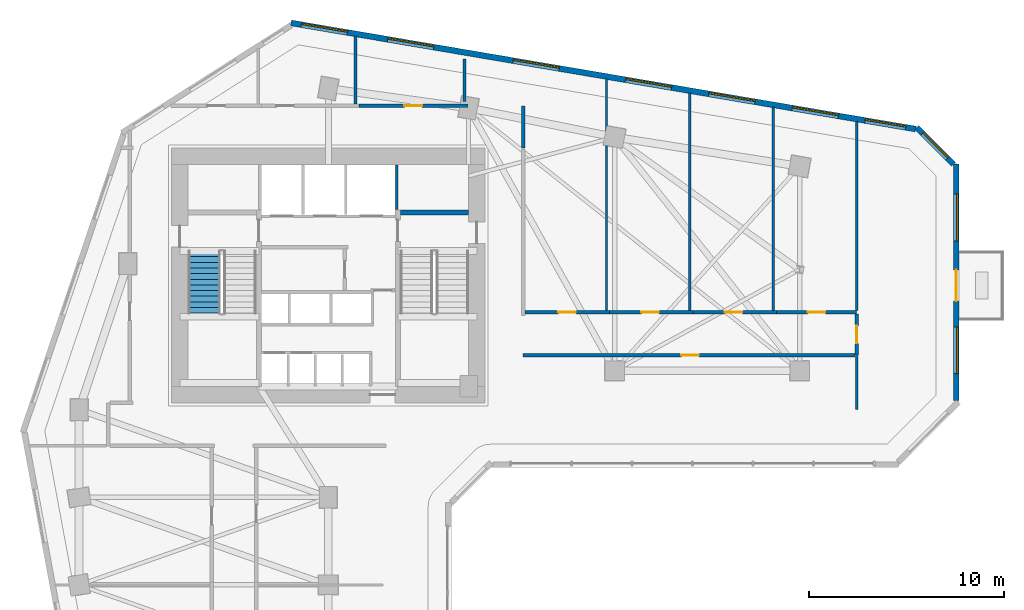
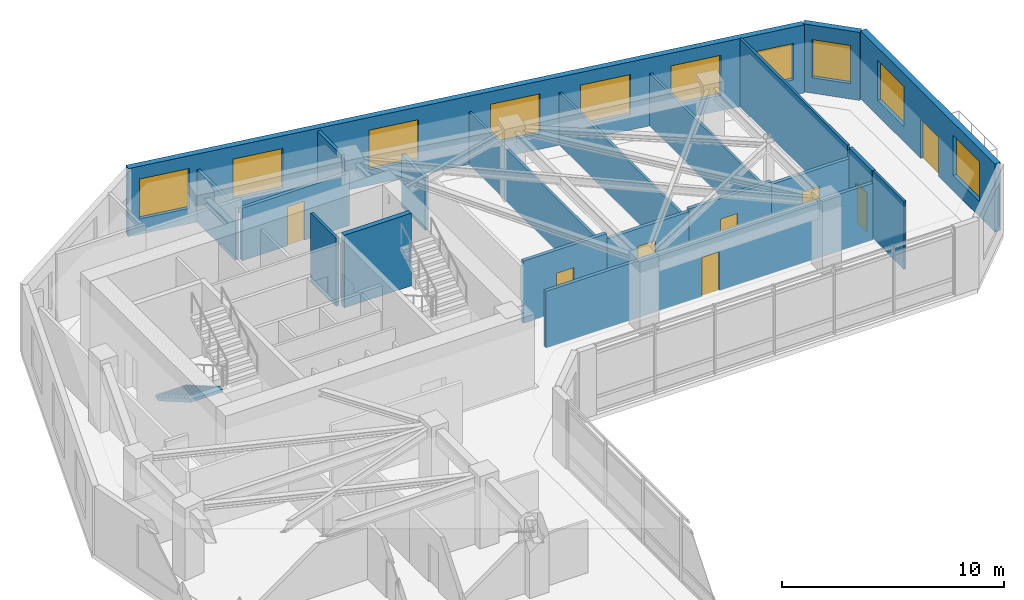
# One storey, part 7 of 11: 20 walls, 10 windows, 8 doors, 1 stair flight, 18 openings, 1 element without a shape of its own.
"""IFC4 building model written with IfcOpenShell, lengths in metres."""

from ifc_helpers import new_model, si_unit, direction, frame, frame_2d, origin, place, context, subcontext, project, spatial, polyline, rectangle, outline, extrude, source, transform, mapped, material, layer, layer_set, type_object, element, fill, aggregate, save


model = new_model("IFC4")

# Units and contexts
model_context = context("Model", 3, precision=1e-05, world=origin(), true_north=direction((0.0, 1.0)))
body_context = subcontext(model_context, "Body", "Model", "MODEL_VIEW")
ifc_project = project(units=[si_unit("LENGTHUNIT", "METRE"), si_unit("AREAUNIT", "SQUARE_METRE"), si_unit("VOLUMEUNIT", "CUBIC_METRE"), si_unit("PLANEANGLEUNIT", "RADIAN"), si_unit("MASSUNIT", "GRAM", prefix="KILO")], contexts=[model_context])

# Site, building, storey
site_placement = place(None, origin())
site = spatial("IfcSite", under=ifc_project, at=site_placement, CompositionType="ELEMENT")
building_placement = place(site_placement, origin())
building = spatial("IfcBuilding", under=site, at=building_placement, Name="Calvemar Wedge Station Tower", CompositionType="ELEMENT")
storey_placement = place(building_placement, frame((0.0, 0.0, 79.0)))
storey = spatial("IfcBuildingStorey", under=building, at=storey_placement, Name="L19", CompositionType="ELEMENT", Elevation=79.0)

# Wall
ifc_material_1 = material(Name="Concrete C50", Category="concrete")
ifc_layer_1 = layer(ifc_material_1, 0.260009765625)
ifc_layer_set_1 = layer_set([ifc_layer_1], Name="Concrete C50")
wall_type_1 = type_object("IfcWallType", Name="SW-CORE-260", PredefinedType="SHEAR", material=ifc_layer_set_1)
wall_1_placement = place(storey_placement, frame((27.5, 43.1298828125, 0.0), z_axis=(0.0, 0.0, 1.0), x_axis=(1.0, 0.0, 0.0)))
element("IfcWall", 1, at=wall_1_placement, inside=storey, type_object=wall_type_1, Name="Storey L19 Core Shear Wall STC2-N", PredefinedType="SHEAR", context=body_context, shape_type="SweptSolid", body=[
    extrude(rectangle(XDim=3.5, YDim=0.260009765625, at=frame_2d((1.75, 0.0))), origin(), (0.0, 0.0, 1.0), 4.0),
])

# Wall, opening, door
ifc_material_2 = material(Name="Double-stud fire-rated corridor partition")
ifc_layer_2 = layer(ifc_material_2, 0.179931640625)
ifc_layer_set_2 = layer_set([ifc_layer_2], Name="Double-stud fire-rated corridor partition")
wall_type_2 = type_object("IfcWallType", Name="W-CORR-180", PredefinedType="PARTITIONING", material=ifc_layer_set_2)
wall_2_placement = place(storey_placement, frame((25.362060546875, 48.60009765625, 0.0), z_axis=(0.0, 0.0, 1.0), x_axis=(1.0, 0.0, 0.0)))
wall_2 = element("IfcWall", 2, at=wall_2_placement, inside=storey, type_object=wall_type_2, Name="Storey L19 Interior Partition WL-L19-012", PredefinedType="PARTITIONING", context=body_context, shape_type="SweptSolid", body=[
    extrude(rectangle(XDim=5.597900390625, YDim=0.179931640625, at=frame_2d((2.798828125, 0.0))), origin(), (0.0, 0.0, 1.0), 2.89208984375),
])
shared_shape_1 = source(origin(), body_context, "Body", "SweptSolid", [
    extrude(rectangle(XDim=0.89990234375, YDim=2.14990234375, at=frame_2d((0.449951171875, 1.074951171875))), frame((0.0, 0.10009765625, 0.0), z_axis=(0.0, -1.0, 0.0), x_axis=(1.0, 0.0, 0.0)), (0.0, 0.0, 1.0), 0.199951171875),
])
opening_1_placement = place(wall_2_placement, frame((2.34912109375, 0.0, 0.0)))
opening_1 = element("IfcOpeningElement", 3, at=opening_1_placement, cuts=wall_2, Name="Opening D-01", PredefinedType="OPENING", context=body_context, shape_type="MappedRepresentation", body=[
    mapped(shared_shape_1, transform((0.0, 0.0, 0.0), scale=1.0)),
])
ifc_material_3 = material(Name="Architectural hardwood acoustic swing door", Category="wood")
door_type_1 = type_object("IfcDoorType", Name="DR-INT-900", OperationType="NOTDEFINED", PredefinedType="DOOR", material=ifc_material_3)
shared_shape_2 = source(origin(), body_context, "Body", "SweptSolid", [
    extrude(rectangle(XDim=0.89990234375, YDim=2.14990234375, at=frame_2d((0.449951171875, 1.074951171875))), frame((0.0, 0.02490234375, 0.0), z_axis=(0.0, -1.0, 0.0), x_axis=(1.0, 0.0, 0.0)), (0.0, 0.0, 1.0), 0.050048828125),
])
door_1_placement = place(opening_1_placement, origin())
door_1 = element("IfcDoor", 4, at=door_1_placement, inside=storey, type_object=door_type_1, Name="L19 Female Toilet Door", OperationType="SINGLE_SWING_LEFT", OverallHeight=2.14990234375, OverallWidth=0.89990234375, PredefinedType="DOOR", context=body_context, shape_type="MappedRepresentation", body=[
    mapped(shared_shape_2, transform((0.0, 0.0, 0.0), scale=1.0)),
])
fill(opening_1, door_1)

# Wall
wall_3_placement = place(storey_placement, frame((33.800048828125, 48.60009765625, 0.0), z_axis=(0.0, 0.0, 1.0), x_axis=(0.0, -1.0, 0.0)))
element("IfcWall", 5, at=wall_3_placement, inside=storey, type_object=wall_type_2, Name="Storey L19 Interior Partition WL-L19-013", PredefinedType="PARTITIONING", context=body_context, shape_type="SweptSolid", body=[
    extrude(rectangle(XDim=2.150146484375, YDim=0.179931640625, at=frame_2d((1.0751953125, 0.0))), origin(), (0.0, 0.0, 1.0), 2.89208984375),
])

# Wall, opening, door
wall_4_placement = place(storey_placement, frame((33.89404296875, 38.0, 0.0), z_axis=(0.0, 0.0, 1.0), x_axis=(1.0, 0.0, 0.0)))
wall_4 = element("IfcWall", 6, at=wall_4_placement, inside=storey, type_object=wall_type_2, Name="Storey L19 Interior Partition WL-L19-018", PredefinedType="PARTITIONING", context=body_context, shape_type="SweptSolid", body=[
    extrude(rectangle(XDim=4.349853515625, YDim=0.179931640625, at=frame_2d((2.1748046875, 0.0))), origin(), (0.0, 0.0, 1.0), 3.4189453125),
])
opening_2_placement = place(wall_4_placement, frame((1.72509765625, 0.0, 0.0)))
opening_2 = element("IfcOpeningElement", 7, at=opening_2_placement, cuts=wall_4, Name="Opening D-01", PredefinedType="OPENING", context=body_context, shape_type="MappedRepresentation", body=[
    mapped(shared_shape_1, transform((0.0, 0.0, 0.0), scale=1.0)),
])
door_2_placement = place(opening_2_placement, origin())
door_2 = element("IfcDoor", 8, at=door_2_placement, inside=storey, type_object=door_type_1, Name="L19 Co-Working Studio Door", OperationType="SINGLE_SWING_RIGHT", OverallHeight=2.14990234375, OverallWidth=0.89990234375, PredefinedType="DOOR", context=body_context, shape_type="MappedRepresentation", body=[
    mapped(shared_shape_2, transform((0.0, 0.0, 0.0), scale=1.0)),
])
fill(opening_2, door_2)

wall_5_placement = place(storey_placement, frame((38.24609375, 38.0, 0.0), z_axis=(0.0, 0.0, 1.0), x_axis=(1.0, 0.0, 0.0)))
wall_5 = element("IfcWall", 9, at=wall_5_placement, inside=storey, type_object=wall_type_2, Name="Storey L19 Interior Partition WL-L19-019", PredefinedType="PARTITIONING", context=body_context, shape_type="SweptSolid", body=[
    extrude(rectangle(XDim=4.281005859375, YDim=0.179931640625, at=frame_2d((2.140625, 0.0))), origin(), (0.0, 0.0, 1.0), 3.125),
])
opening_3_placement = place(wall_5_placement, frame((1.629150390625, 0.0, 0.0)))
opening_3 = element("IfcOpeningElement", 10, at=opening_3_placement, cuts=wall_5, Name="Opening D-01", PredefinedType="OPENING", context=body_context, shape_type="MappedRepresentation", body=[
    mapped(shared_shape_1, transform((0.0, 0.0, 0.0), scale=1.0)),
])
door_3_placement = place(opening_3_placement, origin())
door_3 = element("IfcDoor", 11, at=door_3_placement, inside=storey, type_object=door_type_1, Name="L19 Co-Working Studio Door", OperationType="SINGLE_SWING_LEFT", OverallHeight=2.14990234375, OverallWidth=0.89990234375, PredefinedType="DOOR", context=body_context, shape_type="MappedRepresentation", body=[
    mapped(shared_shape_2, transform((0.0, 0.0, 0.0), scale=1.0)),
])
fill(opening_3, door_3)

wall_6_placement = place(storey_placement, frame((42.529052734375, 38.0, 0.0), z_axis=(0.0, 0.0, 1.0), x_axis=(1.0, 0.0, 0.0)))
wall_6 = element("IfcWall", 12, at=wall_6_placement, inside=storey, type_object=wall_type_2, Name="Storey L19 Interior Partition WL-L19-020", PredefinedType="PARTITIONING", context=body_context, shape_type="SweptSolid", body=[
    extrude(rectangle(XDim=4.281982421875, YDim=0.179931640625, at=frame_2d((2.14111328125, 0.0))), origin(), (0.0, 0.0, 1.0), 3.279052734375),
])
opening_4_placement = place(wall_6_placement, frame((1.629638671875, 0.0, 0.0)))
opening_4 = element("IfcOpeningElement", 13, at=opening_4_placement, cuts=wall_6, Name="Opening D-01", PredefinedType="OPENING", context=body_context, shape_type="MappedRepresentation", body=[
    mapped(shared_shape_1, transform((0.0, 0.0, 0.0), scale=1.0)),
])
door_4_placement = place(opening_4_placement, origin())
door_4 = element("IfcDoor", 14, at=door_4_placement, inside=storey, type_object=door_type_1, Name="L19 Co-Working Studio Door", OperationType="SINGLE_SWING_RIGHT", OverallHeight=2.14990234375, OverallWidth=0.89990234375, PredefinedType="DOOR", context=body_context, shape_type="MappedRepresentation", body=[
    mapped(shared_shape_2, transform((0.0, 0.0, 0.0), scale=1.0)),
])
fill(opening_4, door_4)

wall_7_placement = place(storey_placement, frame((46.81298828125, 38.0, 0.0), z_axis=(0.0, 0.0, 1.0), x_axis=(1.0, 0.0, 0.0)))
wall_7 = element("IfcWall", 15, at=wall_7_placement, inside=storey, type_object=wall_type_2, Name="Storey L19 Interior Partition WL-L19-021", PredefinedType="PARTITIONING", context=body_context, shape_type="SweptSolid", body=[
    extrude(rectangle(XDim=4.1220703125, YDim=0.179931640625, at=frame_2d((2.06103515625, 0.0))), origin(), (0.0, 0.0, 1.0), 3.125),
])
opening_5_placement = place(wall_7_placement, frame((1.611083984375, 0.0, 0.0)))
opening_5 = element("IfcOpeningElement", 16, at=opening_5_placement, cuts=wall_7, Name="Opening D-01", PredefinedType="OPENING", context=body_context, shape_type="MappedRepresentation", body=[
    mapped(shared_shape_1, transform((0.0, 0.0, 0.0), scale=1.0)),
])
door_5_placement = place(opening_5_placement, origin())
door_5 = element("IfcDoor", 17, at=door_5_placement, inside=storey, type_object=door_type_1, Name="L19 Meeting Room Door", OperationType="SINGLE_SWING_LEFT", OverallHeight=2.14990234375, OverallWidth=0.89990234375, PredefinedType="DOOR", context=body_context, shape_type="MappedRepresentation", body=[
    mapped(shared_shape_2, transform((0.0, 0.0, 0.0), scale=1.0)),
])
fill(opening_5, door_5)

wall_8_placement = place(storey_placement, frame((50.93505859375, 37.906005859375, 0.0), z_axis=(0.0, 0.0, 1.0), x_axis=(0.0, -1.0, 0.0)))
wall_8 = element("IfcWall", 18, at=wall_8_placement, inside=storey, type_object=wall_type_2, Name="Storey L19 Interior Partition WL-L19-022", PredefinedType="PARTITIONING", context=body_context, shape_type="SweptSolid", body=[
    extrude(rectangle(XDim=2.10595703125, YDim=0.179931640625, at=frame_2d((1.052978515625, 0.0))), origin(), (0.0, 0.0, 1.0), 3.75),
])
opening_6_placement = place(wall_8_placement, frame((0.60302734375, 0.0, 0.0)))
opening_6 = element("IfcOpeningElement", 19, at=opening_6_placement, cuts=wall_8, Name="Opening D-01", PredefinedType="OPENING", context=body_context, shape_type="MappedRepresentation", body=[
    mapped(shared_shape_1, transform((0.0, 0.0, 0.0), scale=1.0)),
])
door_6_placement = place(opening_6_placement, origin())
door_6 = element("IfcDoor", 20, at=door_6_placement, inside=storey, type_object=door_type_1, Name="L19 Training Room Door", OperationType="SINGLE_SWING_RIGHT", OverallHeight=2.14990234375, OverallWidth=0.89990234375, PredefinedType="DOOR", context=body_context, shape_type="MappedRepresentation", body=[
    mapped(shared_shape_2, transform((0.0, 0.0, 0.0), scale=1.0)),
])
fill(opening_6, door_6)

wall_9_placement = place(storey_placement, frame((50.841064453125, 35.800048828125, 0.0), z_axis=(0.0, 0.0, 1.0), x_axis=(-1.0, 0.0, 0.0)))
wall_9 = element("IfcWall", 21, at=wall_9_placement, inside=storey, type_object=wall_type_2, Name="Storey L19 Interior Partition WL-L19-023", PredefinedType="PARTITIONING", context=body_context, shape_type="SweptSolid", body=[
    extrude(rectangle(XDim=17.041015625, YDim=0.179931640625, at=frame_2d((8.5205078125, 0.0))), origin(), (0.0, 0.0, 1.0), 3.125),
])
opening_7_placement = place(wall_9_placement, frame((8.010009765625, 0.0, 0.0)))
opening_7 = element("IfcOpeningElement", 22, at=opening_7_placement, cuts=wall_9, Name="Opening D-01", PredefinedType="OPENING", context=body_context, shape_type="MappedRepresentation", body=[
    mapped(shared_shape_1, transform((0.0, 0.0, 0.0), scale=1.0)),
])
door_7_placement = place(opening_7_placement, origin())
door_7 = element("IfcDoor", 23, at=door_7_placement, inside=storey, type_object=door_type_1, Name="L19 Meeting Room Door", OperationType="SINGLE_SWING_LEFT", OverallHeight=2.14990234375, OverallWidth=0.89990234375, PredefinedType="DOOR", context=body_context, shape_type="MappedRepresentation", body=[
    mapped(shared_shape_2, transform((0.0, 0.0, 0.0), scale=1.0)),
])
fill(opening_7, door_7)

# Wall, openings, windows, door
ifc_material_4 = material(Name="Precast concrete C45", Category="concrete")
ifc_layer_3 = layer(ifc_material_4, 0.300048828125)
ifc_layer_set_3 = layer_set([ifc_layer_3], Name="Precast concrete C45")
wall_type_3 = type_object("IfcWallType", Name="W-EXT-GFRC-300", PredefinedType="SOLIDWALL", material=ifc_layer_set_3)
wall_10_placement = place(storey_placement, frame((56.050048828125, 33.4853515625, 0.0), z_axis=(0.0, 0.0, 1.0), x_axis=(0.0, 1.0, 0.0)))
wall_10 = element("IfcWall", 24, at=wall_10_placement, inside=storey, type_object=wall_type_3, Name="Storey L19 Bronze GFRC Exterior Wall 8", PredefinedType="SOLIDWALL", context=body_context, shape_type="SweptSolid", body=[
    extrude(rectangle(XDim=12.130615234375, YDim=0.300048828125, at=frame_2d((6.0654296875, 0.0))), origin(), (0.0, 0.0, 1.0), 3.75),
])
shared_shape_3 = source(origin(), body_context, "Body", "SweptSolid", [
    extrude(rectangle(XDim=1.60009765625, YDim=2.14990234375, at=frame_2d((0.800048828125, 1.074951171875))), frame((0.0, 0.16015625, 0.0), z_axis=(0.0, -1.0, 0.0), x_axis=(1.0, 0.0, 0.0)), (0.0, 0.0, 1.0), 0.320068359375),
])
opening_8_placement = place(wall_10_placement, frame((5.093017578125, 0.0, 0.0)))
opening_8 = element("IfcOpeningElement", 25, at=opening_8_placement, cuts=wall_10, Name="Opening DT1", PredefinedType="OPENING", context=body_context, shape_type="MappedRepresentation", body=[
    mapped(shared_shape_3, transform((0.0, 0.0, 0.0), scale=1.0)),
])
shared_shape_4 = source(origin(), body_context, "Body", "SweptSolid", [
    extrude(rectangle(XDim=2.39990234375, YDim=2.199951171875, at=frame_2d((1.199951171875, 1.10009765625))), frame((0.0, 0.16015625, 0.0), z_axis=(0.0, -1.0, 0.0), x_axis=(1.0, 0.0, 0.0)), (0.0, 0.0, 1.0), 0.320068359375),
])
opening_9_placement = place(wall_10_placement, frame((1.366943359375, 0.0, 0.85009765625)))
opening_9 = element("IfcOpeningElement", 26, at=opening_9_placement, cuts=wall_10, Name="Opening W1", PredefinedType="OPENING", context=body_context, shape_type="MappedRepresentation", body=[
    mapped(shared_shape_4, transform((0.0, 0.0, 0.0), scale=1.0)),
])
opening_10_placement = place(wall_10_placement, frame((8.19189453125, 0.0, 0.85009765625)))
opening_10 = element("IfcOpeningElement", 27, at=opening_10_placement, cuts=wall_10, Name="Opening W1", PredefinedType="OPENING", context=body_context, shape_type="MappedRepresentation", body=[
    mapped(shared_shape_4, transform((0.0, 0.0, 0.0), scale=1.0)),
])
ifc_material_5 = material(Name="Low-E laminated insulated glass", Category="glass")
window_type_1 = type_object("IfcWindowType", Name="WIN-EXT-1", PartitioningType="SINGLE_PANEL", PredefinedType="WINDOW", material=ifc_material_5)
shared_shape_5 = source(origin(), body_context, "Body", "SweptSolid", [
    extrude(rectangle(XDim=2.39990234375, YDim=2.199951171875, at=frame_2d((1.199951171875, 1.10009765625))), frame((0.0, -0.014892578125, 0.0), z_axis=(0.0, -1.0, 0.0), x_axis=(1.0, 0.0, 0.0)), (0.0, 0.0, 1.0), 0.06005859375),
])
window_1_placement = place(opening_9_placement, origin())
window_1 = element("IfcWindow", 28, at=window_1_placement, inside=storey, type_object=window_type_1, Name="Storey L19 Recessed Window 8.1", OverallHeight=2.199951171875, OverallWidth=2.39990234375, PartitioningType="SINGLE_PANEL", PredefinedType="WINDOW", context=body_context, shape_type="MappedRepresentation", body=[
    mapped(shared_shape_5, transform((0.0, 0.0, 0.0), scale=1.0)),
])
fill(opening_9, window_1)
window_2_placement = place(opening_10_placement, origin())
window_2 = element("IfcWindow", 29, at=window_2_placement, inside=storey, type_object=window_type_1, Name="Storey L19 Recessed Window 8.2", OverallHeight=2.199951171875, OverallWidth=2.39990234375, PartitioningType="SINGLE_PANEL", PredefinedType="WINDOW", context=body_context, shape_type="MappedRepresentation", body=[
    mapped(shared_shape_5, transform((0.0, 0.0, 0.0), scale=1.0)),
])
fill(opening_10, window_2)
ifc_material_6 = material(Name="Anodised aluminium 6063-T6", Category="aluminium")
door_type_2 = type_object("IfcDoorType", Name="DR-TERR-1600", OperationType="DOUBLE_DOOR_SLIDING", PredefinedType="DOOR", material=ifc_material_6)
shared_shape_6 = source(origin(), body_context, "Body", "SweptSolid", [
    extrude(rectangle(XDim=1.60009765625, YDim=2.14990234375, at=frame_2d((0.800048828125, 1.074951171875))), frame((0.0, 0.02490234375, 0.0), z_axis=(0.0, -1.0, 0.0), x_axis=(1.0, 0.0, 0.0)), (0.0, 0.0, 1.0), 0.050048828125),
])
door_8_placement = place(opening_8_placement, origin())
door_8 = element("IfcDoor", 30, at=door_8_placement, inside=storey, type_object=door_type_2, Name="Storey L19 Spiral Terrace Door", OperationType="DOUBLE_DOOR_SLIDING", OverallHeight=2.14990234375, OverallWidth=1.60009765625, PredefinedType="DOOR", context=body_context, shape_type="MappedRepresentation", body=[
    mapped(shared_shape_6, transform((0.0, 0.0, 0.0), scale=1.0)),
])
fill(opening_8, door_8)

# Wall, opening, window
wall_11_placement = place(storey_placement, frame((55.912109375, 45.60400390625, 0.0), z_axis=(0.0, 0.0, 1.0), x_axis=(-0.707152443695, 0.707061115729, 0.0)))
wall_11 = element("IfcWall", 31, at=wall_11_placement, inside=storey, type_object=wall_type_3, Name="Storey L19 Bronze GFRC Exterior Wall 9", PredefinedType="SOLIDWALL", context=body_context, shape_type="SweptSolid", body=[
    extrude(rectangle(XDim=2.67333984375, YDim=0.300048828125, at=frame_2d((1.336669921875, 0.0))), origin(), (0.0, 0.0, 1.0), 3.75),
])
shared_shape_7 = source(origin(), body_context, "Body", "SweptSolid", [
    extrude(rectangle(XDim=1.800048828125, YDim=2.10009765625, at=frame_2d((0.89990234375, 1.050048828125))), frame((0.0, 0.16015625, 0.0), z_axis=(0.0, -1.0, 0.0), x_axis=(1.0, 0.0, 0.0)), (0.0, 0.0, 1.0), 0.320068359375),
])
opening_11_placement = place(wall_11_placement, frame((0.43701171875, 0.0, 0.85009765625)))
opening_11 = element("IfcOpeningElement", 32, at=opening_11_placement, cuts=wall_11, Name="Opening W2", PredefinedType="OPENING", context=body_context, shape_type="MappedRepresentation", body=[
    mapped(shared_shape_7, transform((0.0, 0.0, 0.0), scale=1.0)),
])
window_type_2 = type_object("IfcWindowType", Name="WIN-EXT-2", PartitioningType="SINGLE_PANEL", PredefinedType="WINDOW", material=ifc_material_5)
shared_shape_8 = source(origin(), body_context, "Body", "SweptSolid", [
    extrude(rectangle(XDim=1.800048828125, YDim=2.10009765625, at=frame_2d((0.89990234375, 1.050048828125))), frame((0.0, -0.014892578125, 0.0), z_axis=(0.0, -1.0, 0.0), x_axis=(1.0, 0.0, 0.0)), (0.0, 0.0, 1.0), 0.06005859375),
])
window_3_placement = place(opening_11_placement, origin())
window_3 = element("IfcWindow", 33, at=window_3_placement, inside=storey, type_object=window_type_2, Name="Storey L19 Recessed Window 9.1", OverallHeight=2.10009765625, OverallWidth=1.800048828125, PartitioningType="SINGLE_PANEL", PredefinedType="WINDOW", context=body_context, shape_type="MappedRepresentation", body=[
    mapped(shared_shape_8, transform((0.0, 0.0, 0.0), scale=1.0)),
])
fill(opening_11, window_3)

# Wall, openings, windows
wall_12_placement = place(storey_placement, frame((53.9609375, 47.41650390625, 0.0), z_axis=(0.0, 0.0, 1.0), x_axis=(-0.985865713455, 0.167537443678, 0.0)))
wall_12 = element("IfcWall", 34, at=wall_12_placement, inside=storey, type_object=wall_type_3, Name="Storey L19 Bronze GFRC Exterior Wall 10", PredefinedType="SOLIDWALL", context=body_context, shape_type="SweptSolid", body=[
    extrude(rectangle(XDim=32.537109375, YDim=0.300048828125, at=frame_2d((16.2685546875, 0.0))), origin(), (0.0, 0.0, 1.0), 3.75),
])
shared_shape_9 = source(origin(), body_context, "Body", "SweptSolid", [
    extrude(rectangle(XDim=2.10009765625, YDim=2.0, at=frame_2d((1.050048828125, 1.0))), frame((0.0, 0.16015625, 0.0), z_axis=(0.0, -1.0, 0.0), x_axis=(1.0, 0.0, 0.0)), (0.0, 0.0, 1.0), 0.320068359375),
])
opening_12_placement = place(wall_12_placement, frame((0.52490234375, 0.0, 0.85009765625)))
opening_12 = element("IfcOpeningElement", 35, at=opening_12_placement, cuts=wall_12, Name="Opening W4", PredefinedType="OPENING", context=body_context, shape_type="MappedRepresentation", body=[
    mapped(shared_shape_9, transform((0.0, 0.0, 0.0), scale=1.0)),
])
opening_13_placement = place(wall_12_placement, frame((4.02197265625, 0.0, 0.85009765625)))
opening_13 = element("IfcOpeningElement", 36, at=opening_13_placement, cuts=wall_12, Name="Opening W1", PredefinedType="OPENING", context=body_context, shape_type="MappedRepresentation", body=[
    mapped(shared_shape_4, transform((0.0, 0.0, 0.0), scale=1.0)),
])
opening_14_placement = place(wall_12_placement, frame((8.367919921875, 0.0, 0.85009765625)))
opening_14 = element("IfcOpeningElement", 37, at=opening_14_placement, cuts=wall_12, Name="Opening W1", PredefinedType="OPENING", context=body_context, shape_type="MappedRepresentation", body=[
    mapped(shared_shape_4, transform((0.0, 0.0, 0.0), scale=1.0)),
])
opening_15_placement = place(wall_12_placement, frame((12.712890625, 0.0, 0.85009765625)))
opening_15 = element("IfcOpeningElement", 38, at=opening_15_placement, cuts=wall_12, Name="Opening W1", PredefinedType="OPENING", context=body_context, shape_type="MappedRepresentation", body=[
    mapped(shared_shape_4, transform((0.0, 0.0, 0.0), scale=1.0)),
])
opening_16_placement = place(wall_12_placement, frame((18.56005859375, 0.0, 0.85009765625)))
opening_16 = element("IfcOpeningElement", 39, at=opening_16_placement, cuts=wall_12, Name="Opening W1", PredefinedType="OPENING", context=body_context, shape_type="MappedRepresentation", body=[
    mapped(shared_shape_4, transform((0.0, 0.0, 0.0), scale=1.0)),
])
opening_17_placement = place(wall_12_placement, frame((25.094970703125, 0.0, 0.85009765625)))
opening_17 = element("IfcOpeningElement", 40, at=opening_17_placement, cuts=wall_12, Name="Opening W1", PredefinedType="OPENING", context=body_context, shape_type="MappedRepresentation", body=[
    mapped(shared_shape_4, transform((0.0, 0.0, 0.0), scale=1.0)),
])
opening_18_placement = place(wall_12_placement, frame((29.594970703125, 0.0, 0.85009765625)))
opening_18 = element("IfcOpeningElement", 41, at=opening_18_placement, cuts=wall_12, Name="Opening W1", PredefinedType="OPENING", context=body_context, shape_type="MappedRepresentation", body=[
    mapped(shared_shape_4, transform((0.0, 0.0, 0.0), scale=1.0)),
])
window_type_3 = type_object("IfcWindowType", Name="WIN-EXT-4", PartitioningType="SINGLE_PANEL", PredefinedType="WINDOW", material=ifc_material_5)
shared_shape_10 = source(origin(), body_context, "Body", "SweptSolid", [
    extrude(rectangle(XDim=2.10009765625, YDim=2.0, at=frame_2d((1.050048828125, 1.0))), frame((0.0, -0.014892578125, 0.0), z_axis=(0.0, -1.0, 0.0), x_axis=(1.0, 0.0, 0.0)), (0.0, 0.0, 1.0), 0.06005859375),
])
window_4_placement = place(opening_12_placement, origin())
window_4 = element("IfcWindow", 42, at=window_4_placement, inside=storey, type_object=window_type_3, Name="Storey L19 Recessed Window 10.1", OverallHeight=2.0, OverallWidth=2.10009765625, PartitioningType="SINGLE_PANEL", PredefinedType="WINDOW", context=body_context, shape_type="MappedRepresentation", body=[
    mapped(shared_shape_10, transform((0.0, 0.0, 0.0), scale=1.0)),
])
fill(opening_12, window_4)
window_5_placement = place(opening_13_placement, origin())
window_5 = element("IfcWindow", 43, at=window_5_placement, inside=storey, type_object=window_type_1, Name="Storey L19 Recessed Window 10.2", OverallHeight=2.199951171875, OverallWidth=2.39990234375, PartitioningType="SINGLE_PANEL", PredefinedType="WINDOW", context=body_context, shape_type="MappedRepresentation", body=[
    mapped(shared_shape_5, transform((0.0, 0.0, 0.0), scale=1.0)),
])
fill(opening_13, window_5)
window_6_placement = place(opening_14_placement, origin())
window_6 = element("IfcWindow", 44, at=window_6_placement, inside=storey, type_object=window_type_1, Name="Storey L19 Recessed Window 10.3", OverallHeight=2.199951171875, OverallWidth=2.39990234375, PartitioningType="SINGLE_PANEL", PredefinedType="WINDOW", context=body_context, shape_type="MappedRepresentation", body=[
    mapped(shared_shape_5, transform((0.0, 0.0, 0.0), scale=1.0)),
])
fill(opening_14, window_6)
window_7_placement = place(opening_15_placement, origin())
window_7 = element("IfcWindow", 45, at=window_7_placement, inside=storey, type_object=window_type_1, Name="Storey L19 Recessed Window 10.4", OverallHeight=2.199951171875, OverallWidth=2.39990234375, PartitioningType="SINGLE_PANEL", PredefinedType="WINDOW", context=body_context, shape_type="MappedRepresentation", body=[
    mapped(shared_shape_5, transform((0.0, 0.0, 0.0), scale=1.0)),
])
fill(opening_15, window_7)
window_8_placement = place(opening_16_placement, origin())
window_8 = element("IfcWindow", 46, at=window_8_placement, inside=storey, type_object=window_type_1, Name="Storey L19 Recessed Window 10.5", OverallHeight=2.199951171875, OverallWidth=2.39990234375, PartitioningType="SINGLE_PANEL", PredefinedType="WINDOW", context=body_context, shape_type="MappedRepresentation", body=[
    mapped(shared_shape_5, transform((0.0, 0.0, 0.0), scale=1.0)),
])
fill(opening_16, window_8)
window_9_placement = place(opening_17_placement, origin())
window_9 = element("IfcWindow", 47, at=window_9_placement, inside=storey, type_object=window_type_1, Name="Storey L19 Recessed Window 10.6", OverallHeight=2.199951171875, OverallWidth=2.39990234375, PartitioningType="SINGLE_PANEL", PredefinedType="WINDOW", context=body_context, shape_type="MappedRepresentation", body=[
    mapped(shared_shape_5, transform((0.0, 0.0, 0.0), scale=1.0)),
])
fill(opening_17, window_9)
window_10_placement = place(opening_18_placement, origin())
window_10 = element("IfcWindow", 48, at=window_10_placement, inside=storey, type_object=window_type_1, Name="Storey L19 Recessed Window 10.7", OverallHeight=2.199951171875, OverallWidth=2.39990234375, PartitioningType="SINGLE_PANEL", PredefinedType="WINDOW", context=body_context, shape_type="MappedRepresentation", body=[
    mapped(shared_shape_5, transform((0.0, 0.0, 0.0), scale=1.0)),
])
fill(opening_18, window_10)

# Walls
ifc_material_7 = material(Name="Reinforced concrete blockwork lift shaft wall", Category="masonry")
ifc_layer_4 = layer(ifc_material_7, 0.139892578125)
ifc_layer_set_4 = layer_set([ifc_layer_4], Name="Reinforced concrete blockwork lift shaft wall")
wall_type_4 = type_object("IfcWallType", Name="W-LIFT-160", PredefinedType="SOLIDWALL", material=ifc_layer_set_4)
wall_13_placement = place(storey_placement, frame((27.31005859375, 43.280029296875, 0.0), z_axis=(0.0, 0.0, 1.0), x_axis=(0.0, 1.0, 0.0)))
element("IfcWall", 49, at=wall_13_placement, inside=storey, type_object=wall_type_4, Name="Storey L19 Firefighting Lift Shaft Enclosure Wall E", PredefinedType="SOLIDWALL", context=body_context, shape_type="SweptSolid", body=[
    extrude(rectangle(XDim=2.300048828125, YDim=0.139892578125, at=frame_2d((1.14990234375, 0.0))), origin(), (0.0, 0.0, 1.0), 3.75),
])
ifc_material_8 = material(Name="Insulated acoustic gypsum stud partition")
ifc_layer_5 = layer(ifc_material_8, 0.125)
ifc_layer_set_5 = layer_set([ifc_layer_5], Name="Insulated acoustic gypsum stud partition")
wall_type_5 = type_object("IfcWallType", Name="W-PART-125", PredefinedType="PARTITIONING", material=ifc_layer_set_5)
wall_14_placement = place(storey_placement, frame((38.083984375, 49.997802734375, 0.0), z_axis=(0.0, 0.0, 1.0), x_axis=(0.0, -1.0, 0.0)))
element("IfcWall", 50, at=wall_14_placement, inside=storey, type_object=wall_type_5, Name="Storey L19 Interior Partition WL-L19-024", PredefinedType="PARTITIONING", context=body_context, shape_type="SweptSolid", body=[
    extrude(rectangle(XDim=11.90380859375, YDim=0.125, at=frame_2d((5.951904296875, 0.0))), origin(), (0.0, 0.0, 1.0), 2.89208984375),
])
wall_15_placement = place(storey_placement, frame((42.366943359375, 49.27001953125, 0.0), z_axis=(0.0, 0.0, 1.0), x_axis=(0.0, -1.0, 0.0)))
element("IfcWall", 51, at=wall_15_placement, inside=storey, type_object=wall_type_5, Name="Storey L19 Interior Partition WL-L19-025", PredefinedType="PARTITIONING", context=body_context, shape_type="SweptSolid", body=[
    extrude(rectangle(XDim=11.176025390625, YDim=0.125, at=frame_2d((5.587890625, 0.0))), origin(), (0.0, 0.0, 1.0), 2.89208984375),
])
wall_16_placement = place(storey_placement, frame((46.65087890625, 48.5419921875, 0.0), z_axis=(0.0, 0.0, 1.0), x_axis=(0.0, -1.0, 0.0)))
element("IfcWall", 52, at=wall_16_placement, inside=storey, type_object=wall_type_5, Name="Storey L19 Interior Partition WL-L19-026", PredefinedType="PARTITIONING", context=body_context, shape_type="SweptSolid", body=[
    extrude(rectangle(XDim=10.447998046875, YDim=0.125, at=frame_2d((5.22412109375, 0.0))), origin(), (0.0, 0.0, 1.0), 2.89208984375),
])
wall_17_placement = place(storey_placement, frame((50.93505859375, 47.81396484375, 0.0), z_axis=(0.0, 0.0, 1.0), x_axis=(0.0, -1.0, 0.0)))
element("IfcWall", 53, at=wall_17_placement, inside=storey, type_object=wall_type_5, Name="Storey L19 Interior Partition WL-L19-027", PredefinedType="PARTITIONING", context=body_context, shape_type="SweptSolid", body=[
    extrude(rectangle(XDim=9.719970703125, YDim=0.125, at=frame_2d((4.85986328125, 0.0))), origin(), (0.0, 0.0, 1.0), 3.75),
])
wall_18_placement = place(storey_placement, frame((50.93505859375, 33.0, 0.0), z_axis=(0.0, 0.0, 1.0), x_axis=(0.0, 1.0, 0.0)))
element("IfcWall", 54, at=wall_18_placement, inside=storey, type_object=wall_type_5, Name="Storey L19 Interior Partition WL-L19-028", PredefinedType="PARTITIONING", context=body_context, shape_type="SweptSolid", body=[
    extrude(rectangle(XDim=2.798095703125, YDim=0.125, at=frame_2d((1.39892578125, 0.0))), origin(), (0.0, 0.0, 1.0), 3.75),
])
ifc_material_9 = material(Name="Moisture-resistant acoustic bathroom partition")
ifc_layer_6 = layer(ifc_material_9, 0.14990234375)
ifc_layer_set_6 = layer_set([ifc_layer_6], Name="Moisture-resistant acoustic bathroom partition")
wall_type_6 = type_object("IfcWallType", Name="W-WET-150", PredefinedType="PARTITIONING", material=ifc_layer_set_6)
wall_19_placement = place(storey_placement, frame((25.199951171875, 52.1875, 0.0), z_axis=(0.0, 0.0, 1.0), x_axis=(0.0, -1.0, 0.0)))
element("IfcWall", 55, at=wall_19_placement, inside=storey, type_object=wall_type_6, Name="Storey L19 Interior Partition WL-L19-017", PredefinedType="PARTITIONING", context=body_context, shape_type="SweptSolid", body=[
    extrude(rectangle(XDim=3.493408203125, YDim=0.14990234375, at=frame_2d((1.74658203125, 0.0))), origin(), (0.0, 0.0, 1.0), 2.89208984375),
])
wall_20_placement = place(storey_placement, frame((30.800048828125, 51.0126953125, 0.0), z_axis=(0.0, 0.0, 1.0), x_axis=(0.0, -1.0, 0.0)))
element("IfcWall", 56, at=wall_20_placement, inside=storey, type_object=wall_type_6, Name="Storey L19 Bathroom Enclosure Wall WL-L19-044", PredefinedType="PARTITIONING", context=body_context, shape_type="SweptSolid", body=[
    extrude(rectangle(XDim=2.192626953125, YDim=0.14990234375, at=frame_2d((1.09619140625, 0.0))), origin(), (0.0, 0.0, 1.0), 3.75),
])

# Stair, stair flight
ifc_material_10 = material(Name="Concrete C45", Category="concrete")
stair_type = type_object("IfcStairType", Name="ST-TYPE-4000", PredefinedType="HALF_TURN_STAIR", material=ifc_material_10)
stair_placement = place(storey_placement, origin())
stair = element("IfcStair", 57, at=stair_placement, inside=storey, type_object=stair_type, Name="L19 Pressurized Core Exit Stair ST-C1", PredefinedType="HALF_TURN_STAIR")
stair_flight_type = type_object("IfcStairFlightType", Name="STF-TYPE-4000", PredefinedType="STRAIGHT", material=ifc_material_10)
stair_flight_placement = place(storey_placement, frame((17.429931640625, 41.14990234375, 0.0), z_axis=(0.0, 0.0, 1.0), x_axis=(0.0, -1.0, 0.0)))
stair_flight = element("IfcStairFlight", 58, at=stair_flight_placement, type_object=stair_flight_type, Name="ST-C1 flight 1", NumberOfRisers=12, NumberOfTreads=11, PredefinedType="STRAIGHT", RiserHeight=0.166666667, TreadLength=0.29, context=body_context, shape_type="SweptSolid", body=[
    extrude(outline(polyline([(0.0, 0.0), (0.0, 0.166748046875), (0.2900390625, 0.166748046875), (0.2900390625, 0.333251953125), (0.580078125, 0.333251953125), (0.580078125, 0.5), (0.8701171875, 0.5), (0.8701171875, 0.666748046875), (1.159912109375, 0.666748046875), (1.159912109375, 0.833251953125), (1.449951171875, 0.833251953125), (1.449951171875, 1.0), (1.739990234375, 1.0), (1.739990234375, 1.166748046875), (2.030029296875, 1.166748046875), (2.030029296875, 1.333251953125), (2.320068359375, 1.333251953125), (2.320068359375, 1.5), (2.610107421875, 1.5), (2.610107421875, 1.666748046875), (2.89990234375, 1.666748046875), (2.89990234375, 1.833251953125), (3.18994140625, 1.833251953125), (3.18994140625, 2.0), (3.18994140625, 1.660400390625), (0.30078125, 0.0), (0.0, 0.0)])), frame((0.0, 0.830078125, 0.0), z_axis=(0.0, -1.0, 0.0), x_axis=(1.0, 0.0, 0.0)), (0.0, 0.0, 1.0), 1.659912109375),
])
aggregate(stair, [stair_flight])

save(model, "model.ifc")
